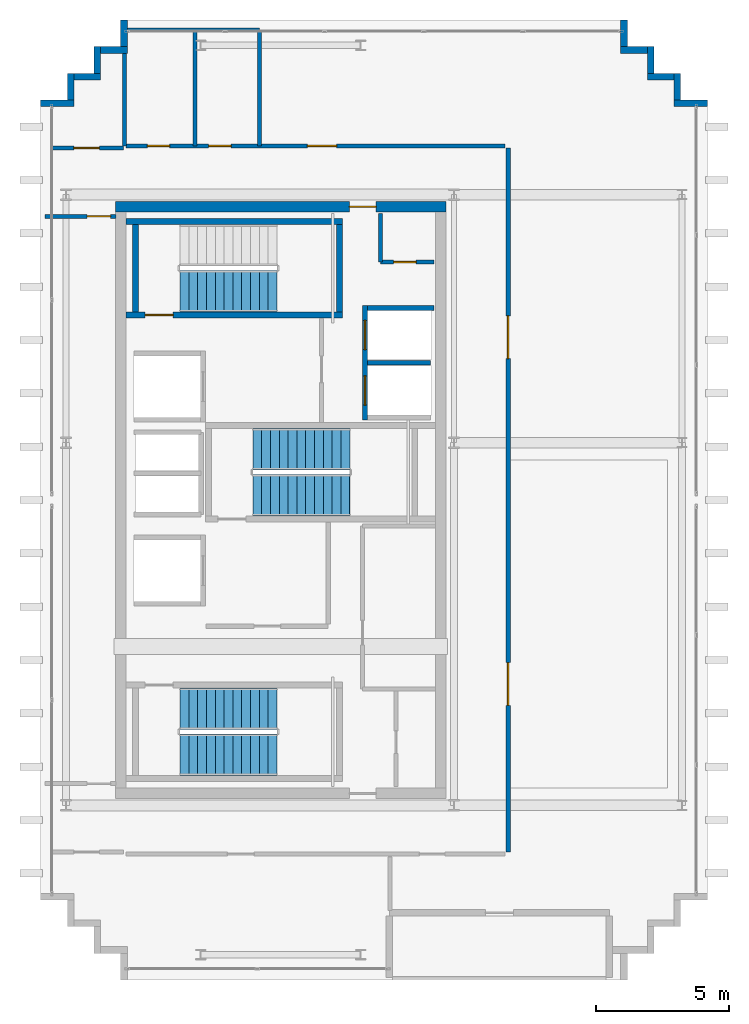
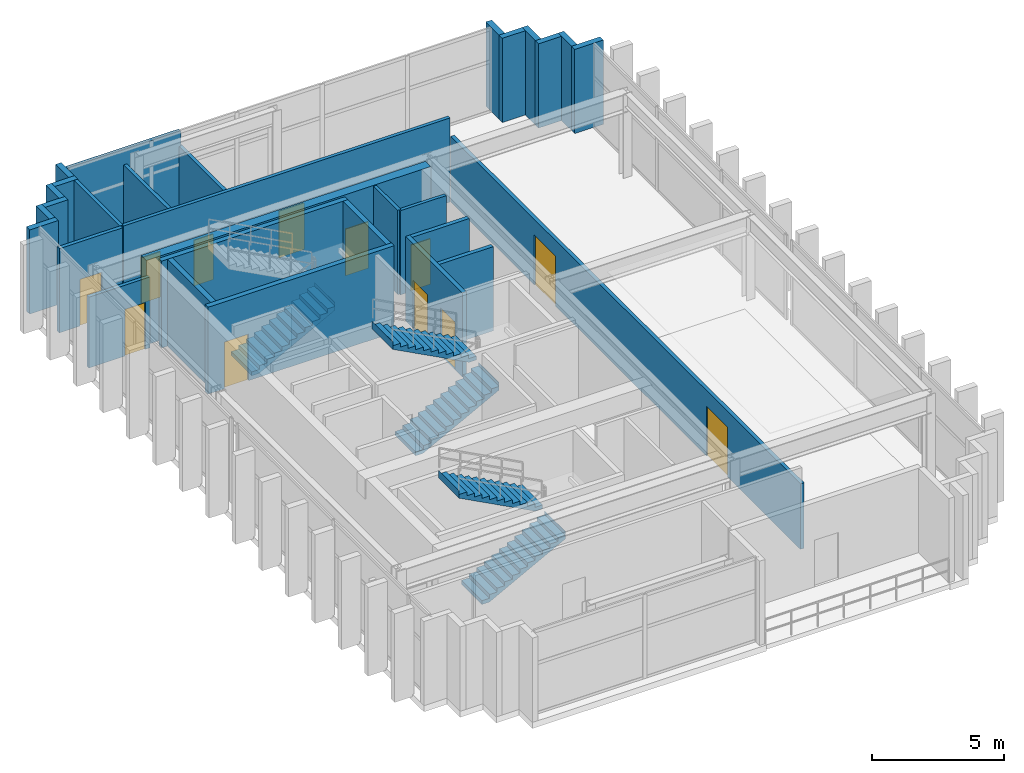
# One storey, part 12 of 15: 30 walls, 12 doors, 5 stair flights, 12 openings, 3 elements without a shape of their own.
"""IFC4 building model written with IfcOpenShell, lengths in metres."""

from ifc_helpers import new_model, si_unit, direction, frame, frame_2d, origin, place, context, subcontext, project, spatial, polyline, rectangle, outline, extrude, source, transform, mapped, material, layer, layer_set, type_object, element, fill, aggregate, save


model = new_model("IFC4")

# Units and contexts
model_context = context("Model", 3, precision=1e-05, world=origin(), true_north=direction((0.0, 1.0)))
body_context = subcontext(model_context, "Body", "Model", "MODEL_VIEW")
ifc_project = project(units=[si_unit("LENGTHUNIT", "METRE"), si_unit("AREAUNIT", "SQUARE_METRE"), si_unit("VOLUMEUNIT", "CUBIC_METRE"), si_unit("PLANEANGLEUNIT", "RADIAN"), si_unit("MASSUNIT", "GRAM", prefix="KILO")], contexts=[model_context])

# Site, building, storey
site_placement = place(None, origin())
site = spatial("IfcSite", under=ifc_project, at=site_placement, CompositionType="ELEMENT")
building_placement = place(site_placement, origin())
building = spatial("IfcBuilding", under=site, at=building_placement, Name="Ocotamira Hotel", CompositionType="ELEMENT")
storey_placement = place(building_placement, frame((0.0, 0.0, 305.39990234375)))
storey = spatial("IfcBuildingStorey", under=building, at=storey_placement, Name="L78", CompositionType="ELEMENT", Elevation=305.39990234375)

# Wall, opening, door
ifc_material_1 = material(Name="Concrete C50/60", Category="concrete")
ifc_layer_1 = layer(ifc_material_1, 0.39990234375)
ifc_layer_set_1 = layer_set([ifc_layer_1], Name="Concrete C50/60")
wall_type_1 = type_object("IfcWallType", Name="WL-CORE-400", PredefinedType="SHEAR", material=ifc_layer_set_1)
wall_1_placement = place(storey_placement, frame((10.800048828125, 37.0, 0.0), z_axis=(0.0, 0.0, 1.0), x_axis=(1.0, 0.0, 0.0)))
wall_1 = element("IfcWall", 1, at=wall_1_placement, inside=storey, type_object=wall_type_1, Name="L78 Shear Core Wall WCORE-N", PredefinedType="SHEAR", context=body_context, shape_type="SweptSolid", body=[
    extrude(rectangle(XDim=12.39990234375, YDim=0.39990234375, at=frame_2d((6.199951171875, 0.0))), origin(), (0.0, 0.0, 1.0), 3.880126953125),
])
opening_1_placement = place(wall_1_placement, frame((8.780029296875, 0.0, 0.0)))
opening_1 = element("IfcOpeningElement", 2, at=opening_1_placement, cuts=wall_1, Name="Opening D-FR2", PredefinedType="OPENING", context=body_context, shape_type="SweptSolid", body=[
    extrude(rectangle(XDim=1.0, YDim=2.14990234375, at=frame_2d((0.5, 1.074951171875))), frame((0.0, 0.2099609375, 0.0), z_axis=(0.0, -1.0, 0.0), x_axis=(1.0, 0.0, 0.0)), (0.0, 0.0, 1.0), 0.419921875),
])
ifc_material_2 = material(Name="Fire-rated acoustic timber-veneer door", Category="wood")
door_type_1 = type_object("IfcDoorType", Name="DR-FIRE-1000", OperationType="NOTDEFINED", PredefinedType="DOOR", material=ifc_material_2)
shared_shape_1 = source(origin(), body_context, "Body", "SweptSolid", [
    extrude(rectangle(XDim=1.0, YDim=2.14990234375, at=frame_2d((0.5, 1.074951171875))), frame((0.0, 0.02490234375, 0.0), z_axis=(0.0, -1.0, 0.0), x_axis=(1.0, 0.0, 0.0)), (0.0, 0.0, 1.0), 0.050048828125),
])
door_1_placement = place(opening_1_placement, origin())
door_1 = element("IfcDoor", 3, at=door_1_placement, inside=storey, type_object=door_type_1, Name="L78 Door ID-L78-WLOB-N-D [ID-L78-WLOB-N-D]", OperationType="SINGLE_SWING_RIGHT", OverallHeight=2.14990234375, OverallWidth=1.0, PredefinedType="DOOR", context=body_context, shape_type="MappedRepresentation", body=[
    mapped(shared_shape_1, transform((0.0, 0.0, 0.0), scale=1.0)),
])
fill(opening_1, door_1)

# Walls
ifc_material_3 = material(Name="Precast concrete C45/55", Category="concrete")
ifc_layer_2 = layer(ifc_material_3, 0.25)
ifc_layer_set_2 = layer_set([ifc_layer_2], Name="Precast concrete C45/55")
wall_type_2 = type_object("IfcWallType", Name="WL-EXT-SER-250", PredefinedType="SOLIDWALL", material=ifc_layer_set_2)
wall_2_placement = place(storey_placement, frame((33.0, 40.875, 0.0), z_axis=(0.0, 0.0, 1.0), x_axis=(-1.0, 0.0, 0.0)))
element("IfcWall", 4, at=wall_2_placement, inside=storey, type_object=wall_type_2, Name="L78 Serrated Corner Wall 07", PredefinedType="SOLIDWALL", context=body_context, shape_type="SweptSolid", body=[
    extrude(rectangle(XDim=1.25, YDim=0.25, at=frame_2d((0.625, 0.0))), origin(), (0.0, 0.0, 1.0), 3.880126953125),
])
for number, where, z_axis, x_axis, name in (
    (5, (31.875, 41.0, 0.0), (0.0, 0.0, 1.0), (0.0, 1.0, 0.0), "L78 Serrated Corner Wall 08"),
    (6, (31.75, 41.875, 0.0), (0.0, 0.0, 1.0), (-1.0, 0.0, 0.0), "L78 Serrated Corner Wall 09"),
    (7, (30.875, 42.0, 0.0), (0.0, 0.0, 1.0), (0.0, 1.0, 0.0), "L78 Serrated Corner Wall 10"),
    (8, (30.75, 42.875, 0.0), (0.0, 0.0, 1.0), (-1.0, 0.0, 0.0), "L78 Serrated Corner Wall 11"),
    (9, (29.875, 43.0, 0.0), (0.0, 0.0, 1.0), (0.0, 1.0, 0.0), "L78 Serrated Corner Wall 12"),
    (10, (11.125, 44.0, 0.0), (0.0, 0.0, 1.0), (0.0, -1.0, 0.0), "L78 Serrated Corner Wall 13"),
    (11, (11.25, 42.875, 0.0), (0.0, 0.0, 1.0), (-1.0, 0.0, 0.0), "L78 Serrated Corner Wall 14"),
    (12, (10.125, 43.0, 0.0), (0.0, 0.0, 1.0), (0.0, -1.0, 0.0), "L78 Serrated Corner Wall 15"),
    (13, (10.25, 41.875, 0.0), (0.0, 0.0, 1.0), (-1.0, 0.0, 0.0), "L78 Serrated Corner Wall 16"),
    (14, (9.125, 42.0, 0.0), (0.0, 0.0, 1.0), (0.0, -1.0, 0.0), "L78 Serrated Corner Wall 17"),
):
    element("IfcWall", number, at=place(storey_placement, frame(where, z_axis=z_axis, x_axis=x_axis)), inside=storey, type_object=wall_type_2, Name=name, PredefinedType="SOLIDWALL", context=body_context, shape_type="SweptSolid", body=[
        extrude(rectangle(XDim=1.0, YDim=0.25, at=frame_2d((0.5, 0.0))), origin(), (0.0, 0.0, 1.0), 3.880126953125),
    ])
wall_3_placement = place(storey_placement, frame((9.25, 40.875, 0.0), z_axis=(0.0, 0.0, 1.0), x_axis=(-1.0, 0.0, 0.0)))
element("IfcWall", 15, at=wall_3_placement, inside=storey, type_object=wall_type_2, Name="L78 Serrated Corner Wall 18", PredefinedType="SOLIDWALL", context=body_context, shape_type="SweptSolid", body=[
    extrude(rectangle(XDim=1.25, YDim=0.25, at=frame_2d((0.625, 0.0))), origin(), (0.0, 0.0, 1.0), 3.880126953125),
])

# Wall, openings, doors
ifc_material_4 = material(Name="Acoustic double-layer fire gypsum board partition", Category="gypsum")
ifc_layer_3 = layer(ifc_material_4, 0.159912109375)
ifc_layer_set_3 = layer_set([ifc_layer_3], Name="Acoustic double-layer fire gypsum board partition")
wall_type_3 = type_object("IfcWallType", Name="WL-FIRE-160", PredefinedType="PARTITIONING", material=ifc_layer_set_3)
wall_4_placement = place(storey_placement, frame((25.530029296875, 12.800048828125, 0.0), z_axis=(0.0, 0.0, 1.0), x_axis=(0.0, 1.0, 0.0)))
wall_4 = element("IfcWall", 16, at=wall_4_placement, inside=storey, type_object=wall_type_3, Name="L78 Interior Wall PW-L78-L78-SPW-E", PredefinedType="PARTITIONING", context=body_context, shape_type="SweptSolid", body=[
    extrude(rectangle(XDim=26.39990234375, YDim=0.159912109375, at=frame_2d((13.199951171875, 0.0))), origin(), (0.0, 0.0, 1.0), 3.024169921875),
])
opening_2_placement = place(wall_4_placement, frame((5.5, 0.0, 0.0)))
opening_2 = element("IfcOpeningElement", 17, at=opening_2_placement, cuts=wall_4, Name="Opening D-DB1", PredefinedType="OPENING", context=body_context, shape_type="SweptSolid", body=[
    extrude(rectangle(XDim=1.60009765625, YDim=2.300048828125, at=frame_2d((0.800048828125, 1.14990234375))), frame((0.0, 0.08984375, 0.0), z_axis=(0.0, -1.0, 0.0), x_axis=(1.0, 0.0, 0.0)), (0.0, 0.0, 1.0), 0.179931640625),
])
opening_3_placement = place(wall_4_placement, frame((18.5, 0.0, 0.0)))
opening_3 = element("IfcOpeningElement", 18, at=opening_3_placement, cuts=wall_4, Name="Opening D-DB1", PredefinedType="OPENING", context=body_context, shape_type="SweptSolid", body=[
    extrude(rectangle(XDim=1.60009765625, YDim=2.300048828125, at=frame_2d((0.800048828125, 1.14990234375))), frame((0.0, 0.08984375, 0.0), z_axis=(0.0, -1.0, 0.0), x_axis=(1.0, 0.0, 0.0)), (0.0, 0.0, 1.0), 0.179931640625),
])
ifc_material_5 = material(Name="Double-leaf ballroom acoustic timber door", Category="wood")
door_type_2 = type_object("IfcDoorType", Name="DR-DBL-1600", OperationType="NOTDEFINED", PredefinedType="DOOR", material=ifc_material_5)
shared_shape_2 = source(origin(), body_context, "Body", "SweptSolid", [
    extrude(rectangle(XDim=1.60009765625, YDim=2.300048828125, at=frame_2d((0.800048828125, 1.14990234375))), frame((0.0, 0.02490234375, 0.0), z_axis=(0.0, -1.0, 0.0), x_axis=(1.0, 0.0, 0.0)), (0.0, 0.0, 1.0), 0.050048828125),
])
door_2_placement = place(opening_2_placement, origin())
door_2 = element("IfcDoor", 19, at=door_2_placement, inside=storey, type_object=door_type_2, Name="L78 Door ID-L78-L78-OBSD1 [ID-L78-L78-OBSD1]", OperationType="DOUBLE_DOOR_SINGLE_SWING", OverallHeight=2.300048828125, OverallWidth=1.60009765625, PredefinedType="DOOR", context=body_context, shape_type="MappedRepresentation", body=[
    mapped(shared_shape_2, transform((0.0, 0.0, 0.0), scale=1.0)),
])
fill(opening_2, door_2)
door_3_placement = place(opening_3_placement, origin())
door_3 = element("IfcDoor", 20, at=door_3_placement, inside=storey, type_object=door_type_2, Name="L78 Door ID-L78-L78-OBSD2 [ID-L78-L78-OBSD2]", OperationType="DOUBLE_DOOR_SINGLE_SWING", OverallHeight=2.300048828125, OverallWidth=1.60009765625, PredefinedType="DOOR", context=body_context, shape_type="MappedRepresentation", body=[
    mapped(shared_shape_2, transform((0.0, 0.0, 0.0), scale=1.0)),
])
fill(opening_3, door_3)

# Wall, opening, door
wall_5_placement = place(storey_placement, frame((8.35009765625, 39.199951171875, 0.0), z_axis=(0.0, 0.0, 1.0), x_axis=(1.0, 0.0, 0.0)))
wall_5 = element("IfcWall", 21, at=wall_5_placement, inside=storey, type_object=wall_type_3, Name="L78 Interior Wall PW-L78-L78-OBCNW-CW", PredefinedType="PARTITIONING", context=body_context, shape_type="SweptSolid", body=[
    extrude(rectangle(XDim=2.75, YDim=0.159912109375, at=frame_2d((1.375, 0.0))), origin(), (0.0, 0.0, 1.0), 3.880126953125),
])
opening_4_placement = place(wall_5_placement, frame((0.89501953125, 0.0, 0.0)))
opening_4 = element("IfcOpeningElement", 22, at=opening_4_placement, cuts=wall_5, Name="Opening D-SV4", PredefinedType="OPENING", context=body_context, shape_type="SweptSolid", body=[
    extrude(rectangle(XDim=0.9599609375, YDim=2.14990234375, at=frame_2d((0.47998046875, 1.074951171875))), frame((0.0, 0.08984375, 0.0), z_axis=(0.0, -1.0, 0.0), x_axis=(1.0, 0.0, 0.0)), (0.0, 0.0, 1.0), 0.179931640625),
])
ifc_material_6 = material(Name="Fire-rated accessible walnut salon door", Category="wood")
door_type_3 = type_object("IfcDoorType", Name="DR-SERV-960", OperationType="NOTDEFINED", PredefinedType="DOOR", material=ifc_material_6)
shared_shape_3 = source(origin(), body_context, "Body", "SweptSolid", [
    extrude(rectangle(XDim=0.9599609375, YDim=2.14990234375, at=frame_2d((0.47998046875, 1.074951171875))), frame((0.0, 0.02490234375, 0.0), z_axis=(0.0, -1.0, 0.0), x_axis=(1.0, 0.0, 0.0)), (0.0, 0.0, 1.0), 0.050048828125),
])
door_4_placement = place(opening_4_placement, origin())
door_4 = element("IfcDoor", 23, at=door_4_placement, inside=storey, type_object=door_type_3, Name="L78 Door ID-L78-L78-OBCNW-CD [ID-L78-L78-OBCNW-CD]", OperationType="SINGLE_SWING_LEFT", OverallHeight=2.14990234375, OverallWidth=0.9599609375, PredefinedType="DOOR", context=body_context, shape_type="MappedRepresentation", body=[
    mapped(shared_shape_3, transform((0.0, 0.0, 0.0), scale=1.0)),
])
fill(opening_4, door_4)

# Wall
ifc_material_7 = material(Name="Acoustic hospitality gypsum board partition", Category="gypsum")
ifc_layer_4 = layer(ifc_material_7, 0.14208984375)
ifc_layer_set_4 = layer_set([ifc_layer_4], Name="Acoustic hospitality gypsum board partition")
wall_type_4 = type_object("IfcWallType", Name="WL-PART-142", PredefinedType="PARTITIONING", material=ifc_layer_set_4)
wall_6_placement = place(storey_placement, frame((20.739990234375, 34.919921875, 0.0), z_axis=(0.0, 0.0, 1.0), x_axis=(0.0, 1.0, 0.0)))
element("IfcWall", 24, at=wall_6_placement, inside=storey, type_object=wall_type_4, Name="L78 Interior Wall PW-L78-WC-NE-W1", PredefinedType="PARTITIONING", context=body_context, shape_type="SweptSolid", body=[
    extrude(rectangle(XDim=1.830078125, YDim=0.14208984375, at=frame_2d((0.9150390625, 0.0))), origin(), (0.0, 0.0, 1.0), 3.880126953125),
])

# Wall, opening, door
wall_7_placement = place(storey_placement, frame((20.739990234375, 34.919921875, 0.0), z_axis=(0.0, 0.0, 1.0), x_axis=(1.0, 0.0, 0.0)))
wall_7 = element("IfcWall", 25, at=wall_7_placement, inside=storey, type_object=wall_type_4, Name="L78 Interior Wall PW-L78-WC-NE-S1", PredefinedType="PARTITIONING", context=body_context, shape_type="SweptSolid", body=[
    extrude(rectangle(XDim=2.010009765625, YDim=0.14208984375, at=frame_2d((1.0048828125, 0.0))), origin(), (0.0, 0.0, 1.0), 3.880126953125),
])
opening_5_placement = place(wall_7_placement, frame((0.5, 0.0, 0.0)))
opening_5 = element("IfcOpeningElement", 26, at=opening_5_placement, cuts=wall_7, Name="Opening D-SV1", PredefinedType="OPENING", context=body_context, shape_type="SweptSolid", body=[
    extrude(rectangle(XDim=0.840087890625, YDim=2.10009765625, at=frame_2d((0.419921875, 1.050048828125))), frame((0.0, 0.0810546875, 0.0), z_axis=(0.0, -1.0, 0.0), x_axis=(1.0, 0.0, 0.0)), (0.0, 0.0, 1.0), 0.162109375),
])
ifc_material_8 = material(Name="Fire-rated painted steel service door", Category="steel")
door_type_4 = type_object("IfcDoorType", Name="DR-SERV-840", OperationType="NOTDEFINED", PredefinedType="DOOR", material=ifc_material_8)
shared_shape_4 = source(origin(), body_context, "Body", "SweptSolid", [
    extrude(rectangle(XDim=0.840087890625, YDim=2.10009765625, at=frame_2d((0.419921875, 1.050048828125))), frame((0.0, 0.02490234375, 0.0), z_axis=(0.0, -1.0, 0.0), x_axis=(1.0, 0.0, 0.0)), (0.0, 0.0, 1.0), 0.050048828125),
])
door_5_placement = place(opening_5_placement, origin())
door_5 = element("IfcDoor", 27, at=door_5_placement, inside=storey, type_object=door_type_4, Name="L78 Door ID-L78-WC-NE-D1 [ID-L78-WC-NE-D1]", OperationType="SINGLE_SWING_LEFT", OverallHeight=2.10009765625, OverallWidth=0.840087890625, PredefinedType="DOOR", context=body_context, shape_type="MappedRepresentation", body=[
    mapped(shared_shape_4, transform((0.0, 0.0, 0.0), scale=1.0)),
])
fill(opening_5, door_5)

ifc_layer_5 = layer(ifc_material_7, 0.14990234375)
ifc_layer_set_5 = layer_set([ifc_layer_5], Name="Acoustic hospitality gypsum board partition")
wall_type_5 = type_object("IfcWallType", Name="WL-PART-150", PredefinedType="PARTITIONING", material=ifc_layer_set_5)
wall_8_placement = place(storey_placement, frame((8.159912109375, 36.639892578125, 0.0), z_axis=(0.0, 0.0, 1.0), x_axis=(1.0, 0.0, 0.0)))
wall_8 = element("IfcWall", 28, at=wall_8_placement, inside=storey, type_object=wall_type_5, Name="L78 Interior Wall PW-L78-L78W-WN", PredefinedType="PARTITIONING", context=body_context, shape_type="SweptSolid", body=[
    extrude(rectangle(XDim=2.66015625, YDim=0.14990234375, at=frame_2d((1.330078125, 0.0))), origin(), (0.0, 0.0, 1.0), 3.26318359375),
])
opening_6_placement = place(wall_8_placement, frame((1.580078125, 0.0, 0.0)))
opening_6 = element("IfcOpeningElement", 29, at=opening_6_placement, cuts=wall_8, Name="Opening D-SV2", PredefinedType="OPENING", context=body_context, shape_type="SweptSolid", body=[
    extrude(rectangle(XDim=0.8798828125, YDim=2.14990234375, at=frame_2d((0.43994140625, 1.074951171875))), frame((0.0, 0.0849609375, 0.0), z_axis=(0.0, -1.0, 0.0), x_axis=(1.0, 0.0, 0.0)), (0.0, 0.0, 1.0), 0.169921875),
])
door_type_5 = type_object("IfcDoorType", Name="DR-SERV-880", OperationType="NOTDEFINED", PredefinedType="DOOR", material=ifc_material_8)
shared_shape_5 = source(origin(), body_context, "Body", "SweptSolid", [
    extrude(rectangle(XDim=0.8798828125, YDim=2.14990234375, at=frame_2d((0.43994140625, 1.074951171875))), frame((0.0, 0.02490234375, 0.0), z_axis=(0.0, -1.0, 0.0), x_axis=(1.0, 0.0, 0.0)), (0.0, 0.0, 1.0), 0.050048828125),
])
door_6_placement = place(opening_6_placement, origin())
door_6 = element("IfcDoor", 30, at=door_6_placement, inside=storey, type_object=door_type_5, Name="L78 Door ID-L78-L78W-DN [ID-L78-L78W-DN]", OperationType="SINGLE_SWING_RIGHT", OverallHeight=2.14990234375, OverallWidth=0.8798828125, PredefinedType="DOOR", context=body_context, shape_type="MappedRepresentation", body=[
    mapped(shared_shape_5, transform((0.0, 0.0, 0.0), scale=1.0)),
])
fill(opening_6, door_6)

# Wall, openings, doors
wall_9_placement = place(storey_placement, frame((11.199951171875, 39.280029296875, 0.0), z_axis=(0.0, 0.0, 1.0), x_axis=(1.0, 0.0, 0.0)))
wall_9 = element("IfcWall", 31, at=wall_9_placement, inside=storey, type_object=wall_type_5, Name="L78 Interior Wall PW-L78-L78-NW", PredefinedType="PARTITIONING", context=body_context, shape_type="SweptSolid", body=[
    extrude(rectangle(XDim=14.219970703125, YDim=0.14990234375, at=frame_2d((7.10986328125, 0.0))), origin(), (0.0, 0.0, 1.0), 3.880126953125),
])
opening_7_placement = place(wall_9_placement, frame((0.800048828125, 0.0, 0.0)))
opening_7 = element("IfcOpeningElement", 32, at=opening_7_placement, cuts=wall_9, Name="Opening D-SV1", PredefinedType="OPENING", context=body_context, shape_type="SweptSolid", body=[
    extrude(rectangle(XDim=0.840087890625, YDim=2.10009765625, at=frame_2d((0.419921875, 1.050048828125))), frame((0.0, 0.0849609375, 0.0), z_axis=(0.0, -1.0, 0.0), x_axis=(1.0, 0.0, 0.0)), (0.0, 0.0, 1.0), 0.169921875),
])
opening_8_placement = place(wall_9_placement, frame((3.10009765625, 0.0, 0.0)))
opening_8 = element("IfcOpeningElement", 33, at=opening_8_placement, cuts=wall_9, Name="Opening D-SV1", PredefinedType="OPENING", context=body_context, shape_type="SweptSolid", body=[
    extrude(rectangle(XDim=0.840087890625, YDim=2.10009765625, at=frame_2d((0.419921875, 1.050048828125))), frame((0.0, 0.0849609375, 0.0), z_axis=(0.0, -1.0, 0.0), x_axis=(1.0, 0.0, 0.0)), (0.0, 0.0, 1.0), 0.169921875),
])
opening_9_placement = place(wall_9_placement, frame((6.800048828125, 0.0, 0.0)))
opening_9 = element("IfcOpeningElement", 34, at=opening_9_placement, cuts=wall_9, Name="Opening D-FR1", PredefinedType="OPENING", context=body_context, shape_type="SweptSolid", body=[
    extrude(rectangle(XDim=1.10009765625, YDim=2.14990234375, at=frame_2d((0.550048828125, 1.074951171875))), frame((0.0, 0.0849609375, 0.0), z_axis=(0.0, -1.0, 0.0), x_axis=(1.0, 0.0, 0.0)), (0.0, 0.0, 1.0), 0.169921875),
])
door_type_6 = type_object("IfcDoorType", Name="DR-FIRE-1100", OperationType="NOTDEFINED", PredefinedType="DOOR", material=ifc_material_2)
shared_shape_6 = source(origin(), body_context, "Body", "SweptSolid", [
    extrude(rectangle(XDim=1.10009765625, YDim=2.14990234375, at=frame_2d((0.550048828125, 1.074951171875))), frame((0.0, 0.02490234375, 0.0), z_axis=(0.0, -1.0, 0.0), x_axis=(1.0, 0.0, 0.0)), (0.0, 0.0, 1.0), 0.050048828125),
])
door_7_placement = place(opening_9_placement, origin())
door_7 = element("IfcDoor", 35, at=door_7_placement, inside=storey, type_object=door_type_6, Name="L78 Door ID-L78-L78-ND [ID-L78-L78-ND]", OperationType="SINGLE_SWING_LEFT", OverallHeight=2.14990234375, OverallWidth=1.10009765625, PredefinedType="DOOR", context=body_context, shape_type="MappedRepresentation", body=[
    mapped(shared_shape_6, transform((0.0, 0.0, 0.0), scale=1.0)),
])
fill(opening_9, door_7)
door_8_placement = place(opening_7_placement, origin())
door_8 = element("IfcDoor", 36, at=door_8_placement, inside=storey, type_object=door_type_4, Name="L78 Door ID-L78-L78-WCD1 [ID-L78-L78-WCD1]", OperationType="SINGLE_SWING_LEFT", OverallHeight=2.10009765625, OverallWidth=0.840087890625, PredefinedType="DOOR", context=body_context, shape_type="MappedRepresentation", body=[
    mapped(shared_shape_4, transform((0.0, 0.0, 0.0), scale=1.0)),
])
fill(opening_7, door_8)
door_9_placement = place(opening_8_placement, origin())
door_9 = element("IfcDoor", 37, at=door_9_placement, inside=storey, type_object=door_type_4, Name="L78 Door ID-L78-L78-AWCD1 [ID-L78-L78-AWCD1]", OperationType="SINGLE_SWING_RIGHT", OverallHeight=2.10009765625, OverallWidth=0.840087890625, PredefinedType="DOOR", context=body_context, shape_type="MappedRepresentation", body=[
    mapped(shared_shape_4, transform((0.0, 0.0, 0.0), scale=1.0)),
])
fill(opening_8, door_9)

# Walls
wall_10_placement = place(storey_placement, frame((11.14990234375, 39.280029296875, 0.0), z_axis=(0.0, 0.0, 1.0), x_axis=(0.0, 1.0, 0.0)))
element("IfcWall", 38, at=wall_10_placement, inside=storey, type_object=wall_type_5, Name="L78 Interior Wall PW-L78-L78-WCW-DIV", PredefinedType="PARTITIONING", context=body_context, shape_type="SweptSolid", body=[
    extrude(rectangle(XDim=3.4599609375, YDim=0.14990234375, at=frame_2d((1.72998046875, 0.0))), origin(), (0.0, 0.0, 1.0), 3.880126953125),
])
wall_11_placement = place(storey_placement, frame((11.25, 43.6201171875, 0.0), z_axis=(0.0, 0.0, 1.0), x_axis=(1.0, 0.0, 0.0)))
element("IfcWall", 39, at=wall_11_placement, inside=storey, type_object=wall_type_5, Name="L78 Interior Wall PW-L78-L78-WCN-DIV", PredefinedType="PARTITIONING", context=body_context, shape_type="SweptSolid", body=[
    extrude(rectangle(XDim=4.949951171875, YDim=0.14990234375, at=frame_2d((2.47509765625, 0.0))), origin(), (0.0, 0.0, 1.0), 3.880126953125),
])
for number, where, z_axis, x_axis, name in (
    (40, (13.780029296875, 39.280029296875, 0.0), (0.0, 0.0, 1.0), (0.0, 1.0, 0.0), "L78 Interior Wall PW-L78-L78-WCDIV"),
    (41, (16.199951171875, 39.280029296875, 0.0), (0.0, 0.0, 1.0), (0.0, 1.0, 0.0), "L78 Interior Wall PW-L78-L78-WCE-DIV"),
):
    element("IfcWall", number, at=place(storey_placement, frame(where, z_axis=z_axis, x_axis=x_axis)), inside=storey, type_object=wall_type_5, Name=name, PredefinedType="PARTITIONING", context=body_context, shape_type="SweptSolid", body=[
        extrude(rectangle(XDim=4.340087890625, YDim=0.14990234375, at=frame_2d((2.169921875, 0.0))), origin(), (0.0, 0.0, 1.0), 3.18701171875),
    ])

# Wall, openings, doors
ifc_material_9 = material(Name="Fire-rated gypsum shaftliner board assembly", Category="gypsum")
ifc_layer_6 = layer(ifc_material_9, 0.179931640625)
ifc_layer_set_6 = layer_set([ifc_layer_6], Name="Fire-rated gypsum shaftliner board assembly")
wall_type_6 = type_object("IfcWallType", Name="WL-SHAFT-180", PredefinedType="SOLIDWALL", material=ifc_layer_set_6)
wall_12_placement = place(storey_placement, frame((20.159912109375, 29.0, 0.0), z_axis=(0.0, 0.0, 1.0), x_axis=(0.0, 1.0, 0.0)))
wall_12 = element("IfcWall", 42, at=wall_12_placement, inside=storey, type_object=wall_type_6, Name="L78 Interior Wall PW-L78-LFW-BANK-obs-F", PredefinedType="SOLIDWALL", context=body_context, shape_type="SweptSolid", body=[
    extrude(rectangle(XDim=4.2900390625, YDim=0.179931640625, at=frame_2d((2.14501953125, 0.0))), origin(), (0.0, 0.0, 1.0), 3.880126953125),
])
opening_10_placement = place(wall_12_placement, frame((0.554931640625, 0.0, 0.0)))
opening_10 = element("IfcOpeningElement", 43, at=opening_10_placement, cuts=wall_12, Name="Opening LD-LF-OBS1", PredefinedType="OPENING", context=body_context, shape_type="SweptSolid", body=[
    extrude(rectangle(XDim=1.10009765625, YDim=2.199951171875, at=frame_2d((0.550048828125, 1.10009765625))), frame((0.0, 0.10009765625, 0.0), z_axis=(0.0, -1.0, 0.0), x_axis=(1.0, 0.0, 0.0)), (0.0, 0.0, 1.0), 0.199951171875),
])
opening_11_placement = place(wall_12_placement, frame((2.635009765625, 0.0, 0.0)))
opening_11 = element("IfcOpeningElement", 44, at=opening_11_placement, cuts=wall_12, Name="Opening LD-LF-OBS2", PredefinedType="OPENING", context=body_context, shape_type="SweptSolid", body=[
    extrude(rectangle(XDim=1.10009765625, YDim=2.199951171875, at=frame_2d((0.550048828125, 1.10009765625))), frame((0.0, 0.10009765625, 0.0), z_axis=(0.0, -1.0, 0.0), x_axis=(1.0, 0.0, 0.0)), (0.0, 0.0, 1.0), 0.199951171875),
])
ifc_material_10 = material(Name="Brushed pale-metal stainless elevator landing door", Category="steel")
door_type_7 = type_object("IfcDoorType", Name="DR-LIFT-1100", OperationType="NOTDEFINED", PredefinedType="DOOR", material=ifc_material_10)
shared_shape_7 = source(origin(), body_context, "Body", "SweptSolid", [
    extrude(rectangle(XDim=1.10009765625, YDim=2.199951171875, at=frame_2d((0.550048828125, 1.10009765625))), frame((0.0, 0.02490234375, 0.0), z_axis=(0.0, -1.0, 0.0), x_axis=(1.0, 0.0, 0.0)), (0.0, 0.0, 1.0), 0.050048828125),
])
door_10_placement = place(opening_10_placement, origin())
door_10 = element("IfcDoor", 45, at=door_10_placement, inside=storey, type_object=door_type_7, Name="L78 Landing Door LD-LF-OBS1 [ID-L78-LD-LF-OBS1]", OperationType="DOUBLE_DOOR_SLIDING", OverallHeight=2.199951171875, OverallWidth=1.10009765625, PredefinedType="DOOR", context=body_context, shape_type="MappedRepresentation", body=[
    mapped(shared_shape_7, transform((0.0, 0.0, 0.0), scale=1.0)),
])
fill(opening_10, door_10)
door_11_placement = place(opening_11_placement, origin())
door_11 = element("IfcDoor", 46, at=door_11_placement, inside=storey, type_object=door_type_7, Name="L78 Landing Door LD-LF-OBS2 [ID-L78-LD-LF-OBS2]", OperationType="DOUBLE_DOOR_SLIDING", OverallHeight=2.199951171875, OverallWidth=1.10009765625, PredefinedType="DOOR", context=body_context, shape_type="MappedRepresentation", body=[
    mapped(shared_shape_7, transform((0.0, 0.0, 0.0), scale=1.0)),
])
fill(opening_11, door_11)

# Walls
wall_13_placement = place(storey_placement, frame((20.25, 33.199951171875, 0.0), z_axis=(0.0, 0.0, 1.0), x_axis=(1.0, 0.0, 0.0)))
element("IfcWall", 47, at=wall_13_placement, inside=storey, type_object=wall_type_6, Name="L78 Interior Wall PW-L78-LFW-BANK-obs-N", PredefinedType="SOLIDWALL", context=body_context, shape_type="SweptSolid", body=[
    extrude(rectangle(XDim=2.5, YDim=0.179931640625, at=frame_2d((1.25, 0.0))), origin(), (0.0, 0.0, 1.0), 3.880126953125),
])
wall_14_placement = place(storey_placement, frame((20.25, 31.14501953125, 0.0), z_axis=(0.0, 0.0, 1.0), x_axis=(1.0, 0.0, 0.0)))
element("IfcWall", 48, at=wall_14_placement, inside=storey, type_object=wall_type_6, Name="L78 Interior Wall PW-L78-LFW-DIV-LF-OBS1", PredefinedType="SOLIDWALL", context=body_context, shape_type="SweptSolid", body=[
    extrude(rectangle(XDim=2.360107421875, YDim=0.179931640625, at=frame_2d((1.18017578125, 0.0))), origin(), (0.0, 0.0, 1.0), 3.880126953125),
])

# Wall, opening, door
ifc_layer_7 = layer(ifc_material_1, 0.219970703125)
ifc_layer_set_7 = layer_set([ifc_layer_7], Name="Concrete C50/60")
wall_type_7 = type_object("IfcWallType", Name="WL-STAIR-220", PredefinedType="SHEAR", material=ifc_layer_set_7)
wall_15_placement = place(storey_placement, frame((11.199951171875, 32.93994140625, 0.0), z_axis=(0.0, 0.0, 1.0), x_axis=(1.0, 0.0, 0.0)))
wall_15 = element("IfcWall", 49, at=wall_15_placement, inside=storey, type_object=wall_type_7, Name="L78 Stair Shaft Structural Wall ST-2-S", PredefinedType="SHEAR", context=body_context, shape_type="SweptSolid", body=[
    extrude(rectangle(XDim=8.110107421875, YDim=0.219970703125, at=frame_2d((4.05517578125, 0.0))), origin(), (0.0, 0.0, 1.0), 4.0),
])
opening_12_placement = place(wall_15_placement, frame((0.719970703125, 0.0, 0.0)))
opening_12 = element("IfcOpeningElement", 50, at=opening_12_placement, cuts=wall_15, Name="Opening D-ST2", PredefinedType="OPENING", context=body_context, shape_type="SweptSolid", body=[
    extrude(rectangle(XDim=1.050048828125, YDim=2.14990234375, at=frame_2d((0.52490234375, 1.074951171875))), frame((0.0, 0.1201171875, 0.0), z_axis=(0.0, -1.0, 0.0), x_axis=(1.0, 0.0, 0.0)), (0.0, 0.0, 1.0), 0.239990234375),
])
ifc_material_11 = material(Name="Insulated painted hollow-metal fire exit door", Category="steel")
door_type_8 = type_object("IfcDoorType", Name="DR-STAIR-1050", OperationType="NOTDEFINED", PredefinedType="DOOR", material=ifc_material_11)
shared_shape_8 = source(origin(), body_context, "Body", "SweptSolid", [
    extrude(rectangle(XDim=1.050048828125, YDim=2.14990234375, at=frame_2d((0.52490234375, 1.074951171875))), frame((0.0, 0.02490234375, 0.0), z_axis=(0.0, -1.0, 0.0), x_axis=(1.0, 0.0, 0.0)), (0.0, 0.0, 1.0), 0.050048828125),
])
door_12_placement = place(opening_12_placement, origin())
door_12 = element("IfcDoor", 51, at=door_12_placement, inside=storey, type_object=door_type_8, Name="L78 Door ID-L78-STD-ST-2 [ID-L78-STD-ST-2]", OperationType="SINGLE_SWING_RIGHT", OverallHeight=2.14990234375, OverallWidth=1.050048828125, PredefinedType="DOOR", context=body_context, shape_type="MappedRepresentation", body=[
    mapped(shared_shape_8, transform((0.0, 0.0, 0.0), scale=1.0)),
])
fill(opening_12, door_12)

# Walls
wall_16_placement = place(storey_placement, frame((11.199951171875, 36.43994140625, 0.0), z_axis=(0.0, 0.0, 1.0), x_axis=(1.0, 0.0, 0.0)))
element("IfcWall", 52, at=wall_16_placement, inside=storey, type_object=wall_type_7, Name="L78 Stair Shaft Structural Wall ST-2-N", PredefinedType="SHEAR", context=body_context, shape_type="SweptSolid", body=[
    extrude(rectangle(XDim=8.110107421875, YDim=0.219970703125, at=frame_2d((4.05517578125, 0.0))), origin(), (0.0, 0.0, 1.0), 4.0),
])
for number, where, z_axis, x_axis, name in (
    (53, (11.56005859375, 33.050048828125, 0.0), (0.0, 0.0, 1.0), (0.0, 1.0, 0.0), "L78 Stair Shaft Structural Wall ST-2-W"),
    (54, (19.199951171875, 33.050048828125, 0.0), (0.0, 0.0, 1.0), (0.0, 1.0, 0.0), "L78 Stair Shaft Structural Wall ST-2-E"),
):
    element("IfcWall", number, at=place(storey_placement, frame(where, z_axis=z_axis, x_axis=x_axis)), inside=storey, type_object=wall_type_7, Name=name, PredefinedType="SHEAR", context=body_context, shape_type="SweptSolid", body=[
        extrude(rectangle(XDim=3.280029296875, YDim=0.219970703125, at=frame_2d((1.64013671875, 0.0))), origin(), (0.0, 0.0, 1.0), 4.0),
    ])

# Stair, stair flights
ifc_material_12 = material(Name="Concrete C40/50", Category="concrete")
stair_type = type_object("IfcStairType", Name="ST-CORE-1560", PredefinedType="HALF_TURN_STAIR", material=ifc_material_12)
stair_1_placement = place(storey_placement, origin())
stair_1 = element("IfcStair", 55, at=stair_1_placement, inside=storey, type_object=stair_type, Name="L78 Exit Stair ST-1", PredefinedType="HALF_TURN_STAIR")
stair_flight_type = type_object("IfcStairFlightType", Name="STF-CORE-1560", PredefinedType="STRAIGHT", material=ifc_material_12)
shared_shape_9 = source(origin(), body_context, "Body", "SweptSolid", [
    extrude(outline(polyline([(-0.00390625, 0.0), (-0.00390625, 0.175048828125), (0.330078125, 0.175048828125), (0.330078125, 0.35009765625), (0.659912109375, 0.35009765625), (0.659912109375, 0.52490234375), (0.989990234375, 0.52490234375), (0.989990234375, 0.699951171875), (1.320068359375, 0.699951171875), (1.320068359375, 0.875), (1.64990234375, 0.875), (1.64990234375, 1.050048828125), (1.97998046875, 1.050048828125), (1.97998046875, 1.22509765625), (2.31005859375, 1.22509765625), (2.31005859375, 1.39990234375), (2.639892578125, 1.39990234375), (2.639892578125, 1.574951171875), (2.969970703125, 1.574951171875), (2.969970703125, 1.75), (3.300048828125, 1.75), (3.300048828125, 1.925048828125), (3.6298828125, 1.925048828125), (3.6298828125, 2.10009765625), (3.634033203125, 2.10009765625), (3.634033203125, 1.75537109375), (0.320068359375, 0.0), (-0.00390625, 0.0)])), frame((0.0, 0.780029296875, 0.0), z_axis=(0.0, -1.0, 0.0), x_axis=(1.0, 0.0, 0.0)), (0.0, 0.0, 1.0), 1.56005859375),
])
stair_flight_1_placement = place(storey_placement, frame((13.22998046875, 16.449951171875, 0.0), z_axis=(0.0, 0.0, 1.0), x_axis=(1.0, 0.0, 0.0)))
stair_flight_1 = element("IfcStairFlight", 56, at=stair_flight_1_placement, type_object=stair_flight_type, Name="ST-1 flight 1", NumberOfRisers=12, NumberOfTreads=11, PredefinedType="STRAIGHT", RiserHeight=0.175, TreadLength=0.33, context=body_context, shape_type="MappedRepresentation", body=[
    mapped(shared_shape_9, transform((0.0, 0.0, 0.0), scale=1.0)),
])
stair_flight_2_placement = place(storey_placement, frame((16.860107421875, 18.169921875, 2.10009765625), z_axis=(0.0, 0.0, 1.0), x_axis=(-1.0, 0.0, 0.0)))
stair_flight_2 = element("IfcStairFlight", 57, at=stair_flight_2_placement, type_object=stair_flight_type, Name="ST-1 flight 2", NumberOfRisers=12, NumberOfTreads=11, PredefinedType="STRAIGHT", RiserHeight=0.175, TreadLength=0.33, context=body_context, shape_type="MappedRepresentation", body=[
    mapped(shared_shape_9, transform((0.0, 0.0, 0.0), scale=1.0)),
])
aggregate(stair_1, [stair_flight_1, stair_flight_2])

# Stair, stair flight
stair_2_placement = place(storey_placement, origin())
stair_2 = element("IfcStair", 58, at=stair_2_placement, inside=storey, type_object=stair_type, Name="L78 Exit Stair ST-2", PredefinedType="HALF_TURN_STAIR")
stair_flight_3_placement = place(storey_placement, frame((13.22998046875, 33.830078125, 0.0), z_axis=(0.0, 0.0, 1.0), x_axis=(1.0, 0.0, 0.0)))
stair_flight_3 = element("IfcStairFlight", 59, at=stair_flight_3_placement, type_object=stair_flight_type, Name="ST-2 flight 1", NumberOfRisers=12, NumberOfTreads=11, PredefinedType="STRAIGHT", RiserHeight=0.175, TreadLength=0.33, context=body_context, shape_type="MappedRepresentation", body=[
    mapped(shared_shape_9, transform((0.0, 0.0, 0.0), scale=1.0)),
])
aggregate(stair_2, [stair_flight_3])

# Stair, stair flights
stair_3_placement = place(storey_placement, origin())
stair_3 = element("IfcStair", 60, at=stair_3_placement, inside=storey, type_object=stair_type, Name="L78 Exit Stair ST-3", PredefinedType="HALF_TURN_STAIR")
stair_flight_4_placement = place(storey_placement, frame((15.9599609375, 26.179931640625, 0.0), z_axis=(0.0, 0.0, 1.0), x_axis=(1.0, 0.0, 0.0)))
stair_flight_4 = element("IfcStairFlight", 61, at=stair_flight_4_placement, type_object=stair_flight_type, Name="ST-3 flight 1", NumberOfRisers=12, NumberOfTreads=11, PredefinedType="STRAIGHT", RiserHeight=0.175, TreadLength=0.33, context=body_context, shape_type="MappedRepresentation", body=[
    mapped(shared_shape_9, transform((0.0, 0.0, 0.0), scale=1.0)),
])
stair_flight_5_placement = place(storey_placement, frame((19.590087890625, 27.89990234375, 2.10009765625), z_axis=(0.0, 0.0, 1.0), x_axis=(-1.0, 0.0, 0.0)))
stair_flight_5 = element("IfcStairFlight", 62, at=stair_flight_5_placement, type_object=stair_flight_type, Name="ST-3 flight 2", NumberOfRisers=12, NumberOfTreads=11, PredefinedType="STRAIGHT", RiserHeight=0.175, TreadLength=0.33, context=body_context, shape_type="MappedRepresentation", body=[
    mapped(shared_shape_9, transform((0.0, 0.0, 0.0), scale=1.0)),
])
aggregate(stair_3, [stair_flight_4, stair_flight_5])

save(model, "model.ifc")
